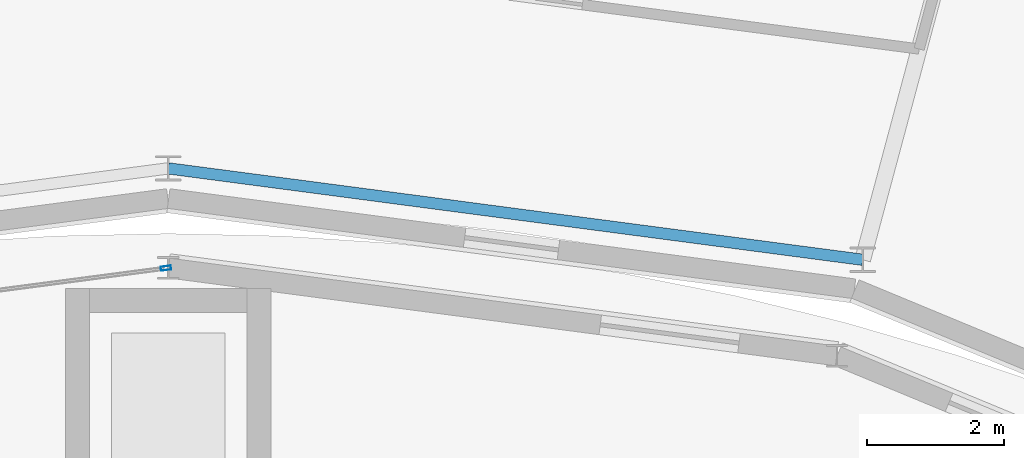
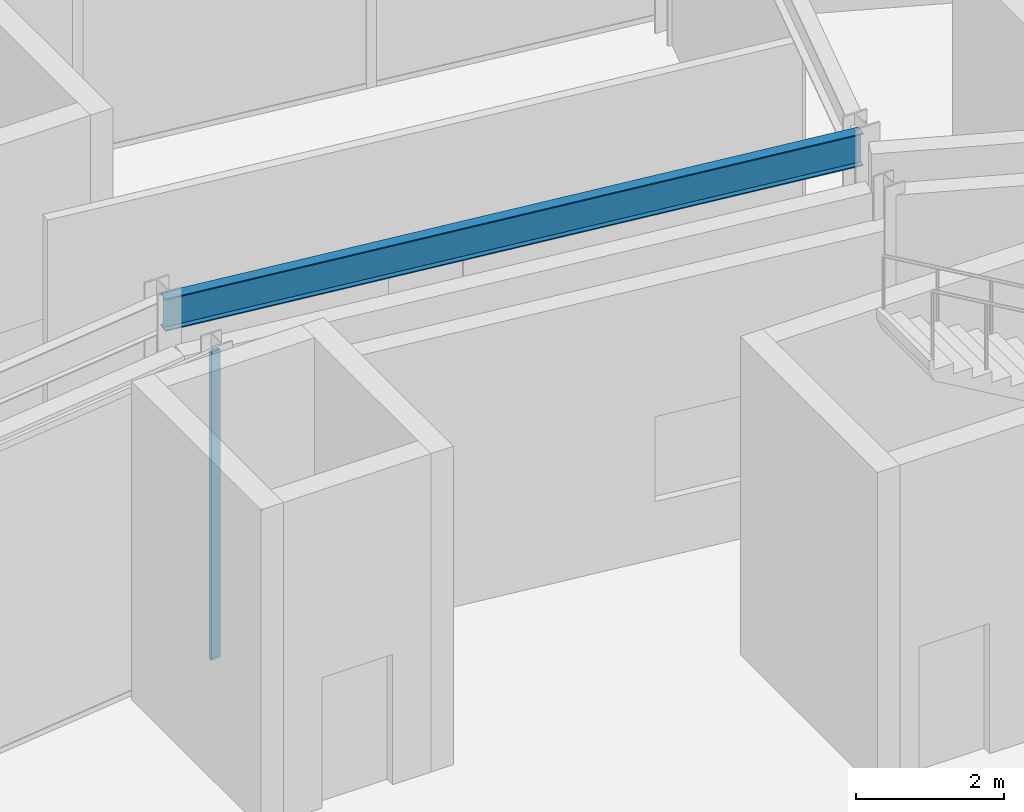
# One storey, part 82 of 168: 1 beam, 1 member, 1 element without a shape of its own.
"""IFC4 building model written with IfcOpenShell, lengths in metres."""

from ifc_helpers import new_model, si_unit, direction, frame, origin, origin_2d, place, context, subcontext, project, spatial, hollow_rectangle, i_section, extrude, material, material_profile, profile_set, type_object, element, aggregate, save


model = new_model("IFC4")

# Units and contexts
model_context = context("Model", 3, precision=1e-05, world=origin(), true_north=direction((0.0, 1.0)))
body_context = subcontext(model_context, "Body", "Model", "MODEL_VIEW")
ifc_project = project(units=[si_unit("LENGTHUNIT", "METRE"), si_unit("AREAUNIT", "SQUARE_METRE"), si_unit("VOLUMEUNIT", "CUBIC_METRE"), si_unit("PLANEANGLEUNIT", "RADIAN"), si_unit("MASSUNIT", "GRAM", prefix="KILO")], contexts=[model_context])

# Site, building, storey
site_placement = place(None, origin())
site = spatial("IfcSite", under=ifc_project, at=site_placement, CompositionType="ELEMENT")
building_placement = place(site_placement, origin())
building = spatial("IfcBuilding", under=site, at=building_placement, Name="Almandine Court Research Institute", CompositionType="ELEMENT")
storey_placement = place(building_placement, origin())
storey = spatial("IfcBuildingStorey", under=building, at=storey_placement, Name="L00", CompositionType="ELEMENT", Elevation=0.0)

# Beam
ifc_material_1 = material(Name="Steel ASTM A992 Grade 50", Category="steel")
ifc_material_profile_1 = material_profile(ifc_material_1, i_section(OverallWidth=0.166015625, OverallDepth=0.534912109375, WebThickness=0.010009765625, FlangeThickness=0.01708984375, at=origin_2d()), Name="W530x85")
ifc_profile_set_1 = profile_set([ifc_material_profile_1], Name="Steel ASTM A992 Grade 50")
beam_type = type_object("IfcBeamType", Name="Beam-G-05-E", PredefinedType="SPANDREL", material=ifc_profile_set_1)
beam_placement = place(storey_placement, frame((97.1201171875, 93.76806640625, 4.802978515625), z_axis=(-0.991448758831, 0.130496584681, 0.0), x_axis=(-0.130496584681, -0.991448758831, 0.0)))
element("IfcBeam", 1, at=beam_placement, inside=storey, type_object=beam_type, Name="L00 Drum IN Ring Beam 05", PredefinedType="SPANDREL", context=body_context, shape_type="SweptSolid", body=[
    extrude(i_section(OverallWidth=0.166015625, OverallDepth=0.534912109375, WebThickness=0.010009765625, FlangeThickness=0.01708984375, at=origin_2d()), origin(), (0.0, 0.0, 1.0), 10.20751953125),
])

# Curtain wall, member
ifc_material_2 = material(Name="Unitised Curtain Wall Framing and Solar Glazing", Category="glass")
curtain_wall_type = type_object("IfcCurtainWallType", Name="CW-CWG-23", PredefinedType="USERDEFINED", material=ifc_material_2)
curtain_wall_placement = place(storey_placement, origin())
curtain_wall = element("IfcCurtainWall", 2, at=curtain_wall_placement, inside=storey, type_object=curtain_wall_type, Name="L00 Interaction Atrium Perimeter Curtain Wall 06", ObjectType="UNITISED GLAZING", PredefinedType="USERDEFINED")
ifc_material_3 = material(Name="Anodised Aluminium AW-6063-T6", Category="aluminium")
ifc_material_profile_2 = material_profile(ifc_material_3, hollow_rectangle(XDim=0.06005859375, YDim=0.14990234375, WallThickness=0.00390625, at=origin_2d()), Name="ALU RHS 60x150x4")
ifc_profile_set_2 = profile_set([ifc_material_profile_2], Name="Anodised Aluminium AW-6063-T6")
member_type = type_object("IfcMemberType", Name="CWMul-60x150", PredefinedType="MULLION", material=ifc_profile_set_2)
member_placement = place(storey_placement, frame((86.96630859375, 93.64599609375, 0.0), z_axis=(0.0, 0.0, 1.0), x_axis=(-0.130536164028, 0.991443548509, 0.0)))
member = element("IfcMember", 3, at=member_placement, type_object=member_type, Name="CWG-23 mullion 3", PredefinedType="MULLION", context=body_context, shape_type="SweptSolid", body=[
    extrude(hollow_rectangle(XDim=0.06005859375, YDim=0.14990234375, WallThickness=0.00390625, at=origin_2d()), origin(), (0.0, 0.0, 1.0), 5.070068359375),
])
aggregate(curtain_wall, [member])

save(model, "model.ifc")
